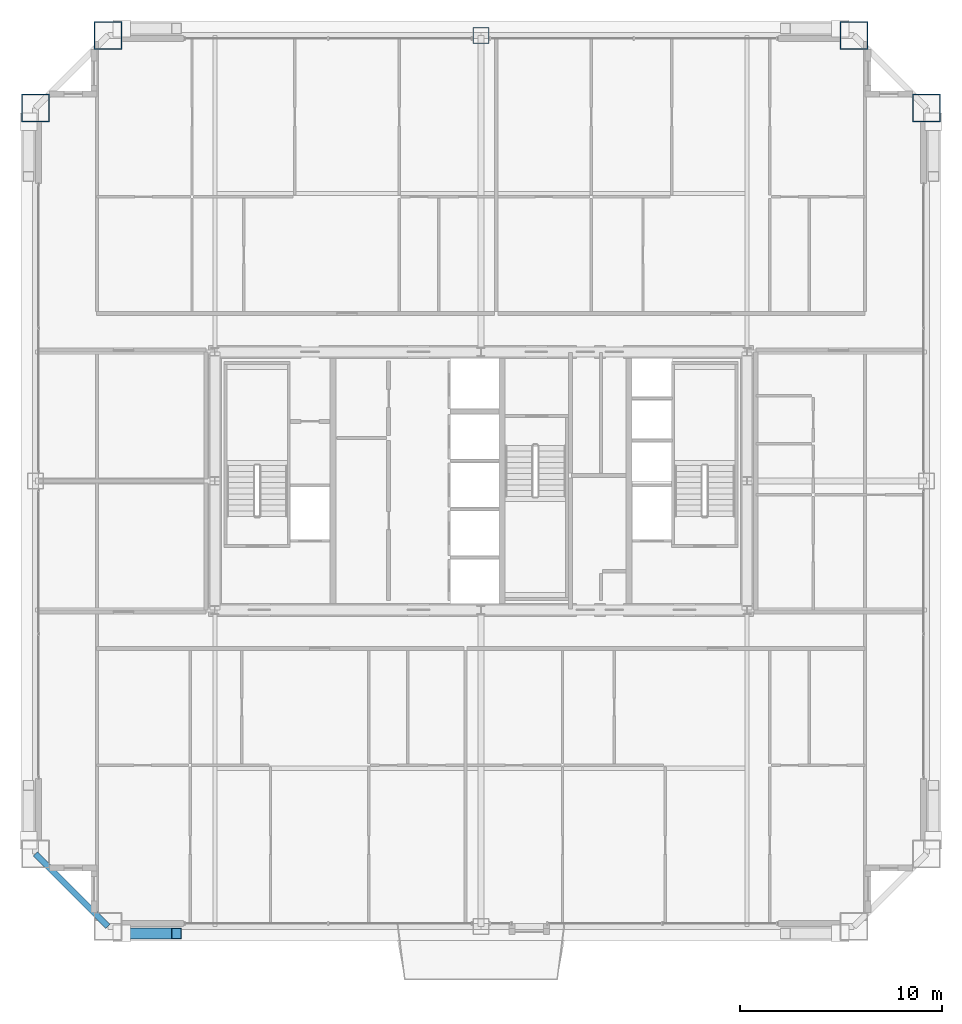
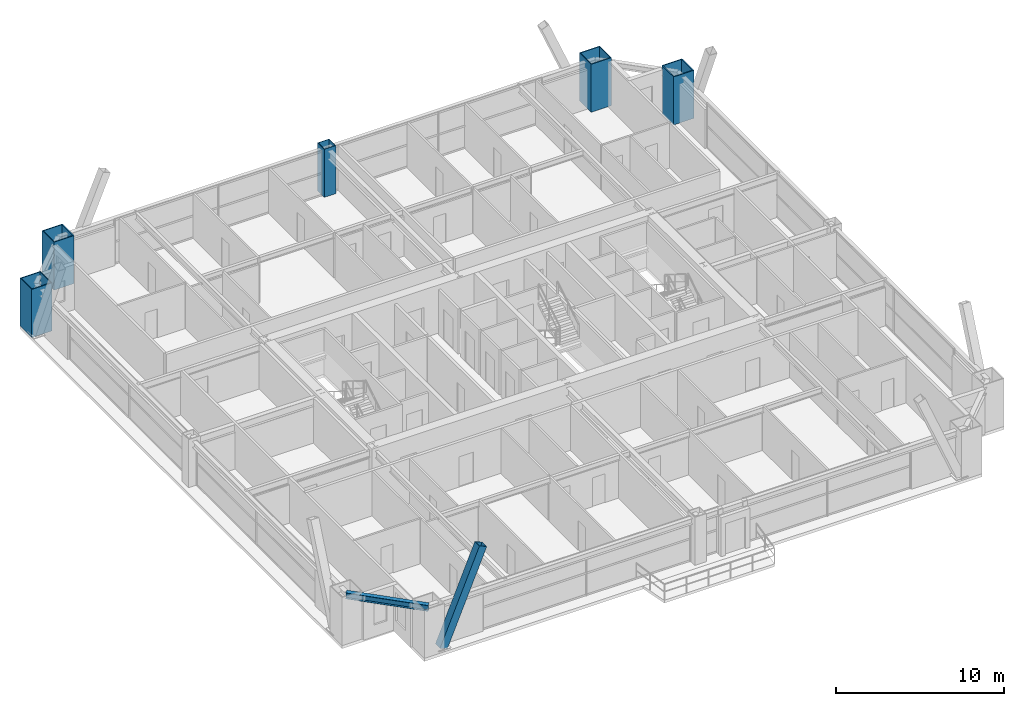
# One storey, part 3 of 45: 5 columns, 1 beam, 1 member.
"""IFC4 building model written with IfcOpenShell, lengths in metres."""

from ifc_helpers import new_model, si_unit, direction, frame, origin, origin_2d, place, context, subcontext, project, spatial, hollow_rectangle, i_section, extrude, source, transform, mapped, material, material_profile, profile_set, type_object, element, save


model = new_model("IFC4")

# Units and contexts
model_context = context("Model", 3, precision=1e-05, world=origin(), true_north=direction((0.0, 1.0)))
body_context = subcontext(model_context, "Body", "Model", "MODEL_VIEW")
ifc_project = project(units=[si_unit("LENGTHUNIT", "METRE"), si_unit("AREAUNIT", "SQUARE_METRE"), si_unit("VOLUMEUNIT", "CUBIC_METRE"), si_unit("PLANEANGLEUNIT", "RADIAN"), si_unit("MASSUNIT", "GRAM", prefix="KILO"), si_unit("THERMODYNAMICTEMPERATUREUNIT", "KELVIN"), si_unit("POWERUNIT", "WATT")], contexts=[model_context])

# Site, building, storey
site_placement = place(None, origin())
site = spatial("IfcSite", under=ifc_project, at=site_placement, CompositionType="ELEMENT")
building_placement = place(site_placement, origin())
building = spatial("IfcBuilding", under=site, at=building_placement, Name="Yuzanri Waterfront Tower", CompositionType="ELEMENT")
storey_placement = place(building_placement, frame((0.0, 0.0, 198.5)))
storey = spatial("IfcBuildingStorey", under=building, at=storey_placement, Name="L52", CompositionType="ELEMENT", Elevation=198.5)

# Columns
ifc_material_1 = material(Name="Steel Q420GJC", Category="steel")
ifc_material_profile_1 = material_profile(ifc_material_1, hollow_rectangle(XDim=1.39990234375, YDim=1.39990234375, WallThickness=0.06005859375, at=origin_2d()), Name="RHS 1400x1400x60")
ifc_profile_set_1 = profile_set([ifc_material_profile_1], Name="Steel Q420GJC")
column_type_1 = type_object("IfcColumnType", Name="Mega Column Q420GJC RHS 1400x1400x60", PredefinedType="COLUMN", material=ifc_profile_set_1)
shared_shape_1 = source(origin(), body_context, "Body", "SweptSolid", [
    extrude(hollow_rectangle(XDim=1.39990234375, YDim=1.39990234375, WallThickness=0.06005859375, at=origin_2d()), origin(), (0.0, 0.0, 1.0), 3.5),
])
for number, where, z_axis, x_axis, name in (
    (1, (18.5, 47.89990234375, 0.0), (0.0, 0.0, 1.0), (1.0, 0.0, 0.0), "L52 Perimeter Mega Column N1"),
    (2, (55.5, 47.89990234375, 0.0), (0.0, 0.0, 1.0), (1.0, 0.0, 0.0), "L52 Perimeter Mega Column N3"),
    (3, (14.89990234375, 44.300048828125, 0.0), (0.0, 0.0, 1.0), (1.0, 0.0, 0.0), "L52 Perimeter Mega Column W3"),
    (4, (59.10009765625, 44.300048828125, 0.0), (0.0, 0.0, 1.0), (1.0, 0.0, 0.0), "L52 Perimeter Mega Column E3"),
):
    element("IfcColumn", number, at=place(storey_placement, frame(where, z_axis=z_axis, x_axis=x_axis)), inside=storey, type_object=column_type_1, Name=name, PredefinedType="COLUMN", context=body_context, shape_type="MappedRepresentation", body=[
        mapped(shared_shape_1, transform((0.0, 0.0, 0.0), scale=1.0)),
    ])
ifc_material_2 = material(Name="Steel Q390GJC", Category="steel")
ifc_material_profile_2 = material_profile(ifc_material_2, hollow_rectangle(XDim=0.800048828125, YDim=0.800048828125, WallThickness=0.035888671875, at=origin_2d()), Name="RHS 800x800x36")
ifc_profile_set_2 = profile_set([ifc_material_profile_2], Name="Steel Q390GJC")
column_type_2 = type_object("IfcColumnType", Name="Frame Column Q390GJC RHS 800x800x36", PredefinedType="COLUMN", material=ifc_profile_set_2)
shared_shape_2 = source(origin(), body_context, "Body", "SweptSolid", [
    extrude(hollow_rectangle(XDim=0.800048828125, YDim=0.800048828125, WallThickness=0.035888671875, at=origin_2d()), origin(), (0.0, 0.0, 1.0), 3.5),
])
column_placement = place(storey_placement, frame((37.0, 47.89990234375, 0.0), z_axis=(0.0, 0.0, 1.0), x_axis=(1.0, 0.0, 0.0)))
element("IfcColumn", 5, at=column_placement, inside=storey, type_object=column_type_2, Name="L52 Perimeter Frame Column N2", PredefinedType="COLUMN", context=body_context, shape_type="MappedRepresentation", body=[
    mapped(shared_shape_2, transform((0.0, 0.0, 0.0), scale=1.0)),
])

# Beam
ifc_material_3 = material(Name="Steel Q355B", Category="steel")
ifc_material_profile_3 = material_profile(ifc_material_3, i_section(OverallWidth=0.300048828125, OverallDepth=0.43994140625, WebThickness=0.010986328125, FlangeThickness=0.01806640625, at=origin_2d()), Name="HM 440x300x11x18")
ifc_profile_set_3 = profile_set([ifc_material_profile_3], Name="Steel Q355B")
beam_type = type_object("IfcBeamType", Name="Perimeter Spandrel Q355B HM 440x300", PredefinedType="SPANDREL", material=ifc_profile_set_3)
shared_shape_3 = source(origin(), body_context, "Body", "SweptSolid", [
    extrude(i_section(OverallWidth=0.300048828125, OverallDepth=0.43994140625, WebThickness=0.010986328125, FlangeThickness=0.01806640625, at=origin_2d()), origin(), (0.0, 0.0, 1.0), 5.09130859375),
])
beam_placement = place(storey_placement, frame((14.89990234375, 7.300048828125, 3.06005859375), z_axis=(0.707106781187, -0.707106781187, 0.0), x_axis=(0.707106781187, 0.707106781187, 0.0)))
element("IfcBeam", 6, at=beam_placement, inside=storey, type_object=beam_type, Name="L52 Perimeter Spandrel W1-S1", PredefinedType="SPANDREL", context=body_context, shape_type="MappedRepresentation", body=[
    mapped(shared_shape_3, transform((0.0, 0.0, 0.0), scale=1.0)),
])

# Member
ifc_material_4 = material(Name="Steel Q390GJC", Category="steel")
ifc_material_profile_4 = material_profile(ifc_material_4, hollow_rectangle(XDim=0.550048828125, YDim=0.550048828125, WallThickness=0.02490234375, at=origin_2d()), Name="RHS 550x550x25")
ifc_profile_set_4 = profile_set([ifc_material_profile_4], Name="Steel Q390GJC")
member_type = type_object("IfcMemberType", Name="Mega Brace Mid Q390GJC RHS 550x550x25", PredefinedType="BRACE", material=ifc_profile_set_4)
shared_shape_4 = source(origin(), body_context, "Body", "SweptSolid", [
    extrude(hollow_rectangle(XDim=0.550048828125, YDim=0.550048828125, WallThickness=0.02490234375, at=origin_2d()), origin(), (0.0, 0.0, 1.0), 7.046142578125),
])
member_placement = place(storey_placement, frame((19.179931640625, 3.360107421875, 0.179931640625), z_axis=(0.386022211732, 0.0, 0.922489486146), x_axis=(0.0, 1.0, 0.0)))
element("IfcMember", 7, at=member_placement, inside=storey, type_object=member_type, Name="L52-L53 Perimeter Mega-Brace S-L", PredefinedType="BRACE", context=body_context, shape_type="MappedRepresentation", body=[
    mapped(shared_shape_4, transform((0.0, 0.0, 0.0), scale=1.0)),
])

save(model, "model.ifc")
